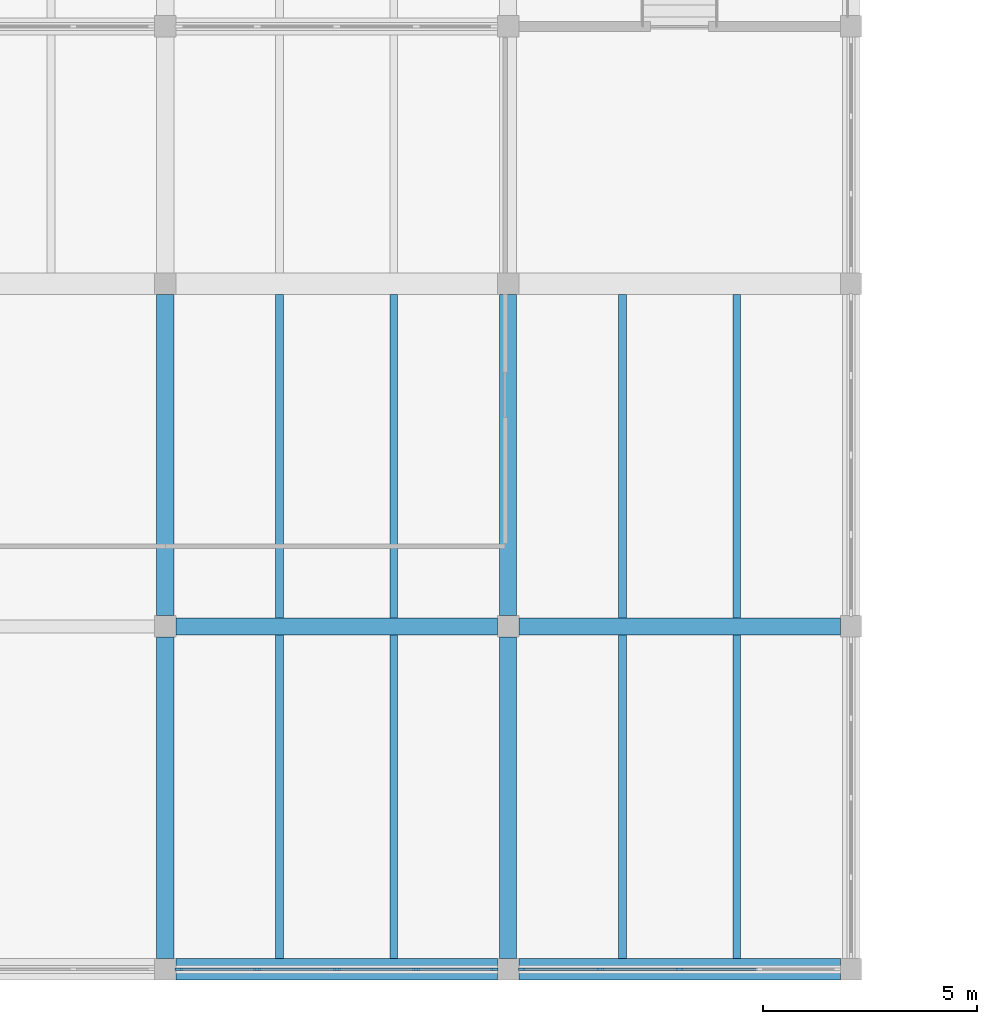
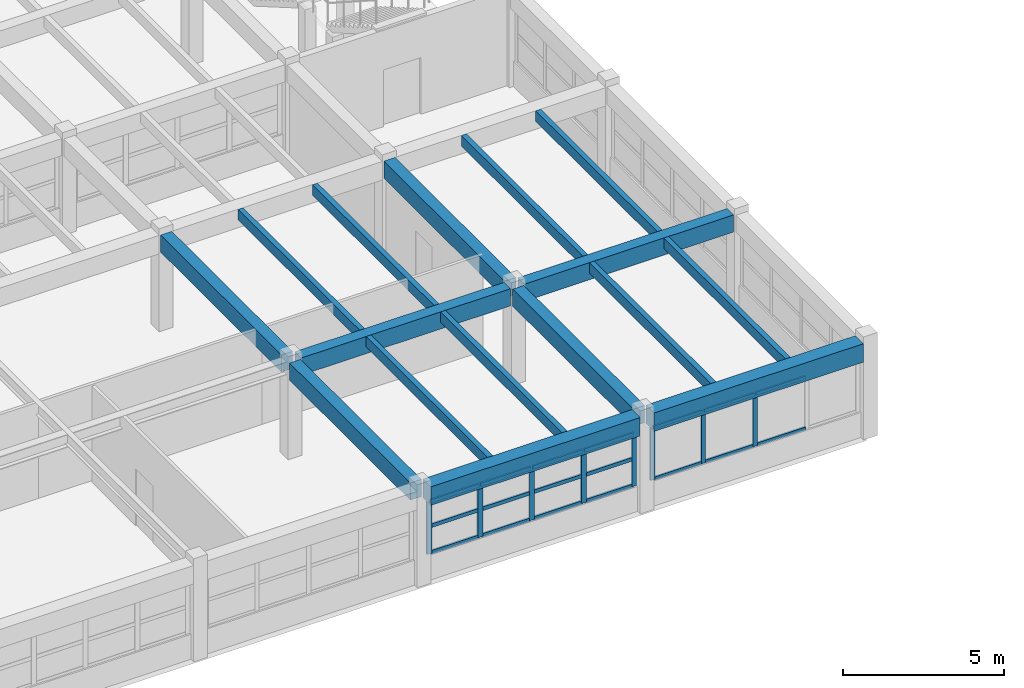
# One storey, part 5 of 89: 26 members, 16 beams, 2 elements without a shape of their own.
"""IFC4 building model written with IfcOpenShell, lengths in metres."""

import ifcopenshell
import ifcopenshell.guid

model = None  # the IFC model being written
_history = None  # IfcOwnerHistory: only IFC2X3 demands one
_inside = {}  # id of a spatial element -> (the spatial element, [elements in it])
_under = {}  # id of a project, library or spatial element -> (it, [spatial elements below it])
_declared = {}  # id of a project -> (the project, [libraries it declares])
_typed = {}  # id of a type object -> (the type object, [elements of that type])
_made_of = {}  # id of a material, layer set ... -> (it, [elements and type objects made of it])


def new_model(schema):
    """Start an empty IFC model of exactly this schema.

    Asked for "IFC4X3", IfcOpenShell would pick the latest addendum, in which some entities
    have other attributes; the version numbers below select the first issue.
    IFC2X3 requires an IfcOwnerHistory on every rooted entity: one is made here for all.
    """
    global model, _history
    if schema == "IFC4X3":
        model = ifcopenshell.file(schema_version=(4, 3, 0, 0))
    else:
        model = ifcopenshell.file(schema=schema)
    _inside.clear()
    _under.clear()
    _declared.clear()
    _typed.clear()
    _made_of.clear()
    _history = None
    if model.schema == "IFC2X3":
        org = make("IfcOrganization", Name="unknown")
        user = make(
            "IfcPersonAndOrganization",
            ThePerson=make("IfcPerson", FamilyName="unknown"),
            TheOrganization=org,
        )
        app = make(
            "IfcApplication",
            ApplicationDeveloper=org,
            Version="unknown",
            ApplicationFullName="unknown",
            ApplicationIdentifier="unknown",
        )
        _history = make(
            "IfcOwnerHistory",
            OwningUser=user,
            OwningApplication=app,
            ChangeAction="ADDED",
            CreationDate=0,
        )
    return model


def make(cls, **values):
    """One entity of the class cls with the attributes given. An attribute that is None is left unset."""
    return model.create_entity(
        cls, **{name: value for name, value in values.items() if value is not None}
    )


def rooted(cls, **values):
    """An entity with a GlobalId (a new one), such as an element, a storey or a relation."""
    return make(cls, GlobalId=ifcopenshell.guid.new(), OwnerHistory=_history, **values)


def si_unit(unit_type, name, prefix=None):
    """IfcSIUnit, for example si_unit("LENGTHUNIT", "METRE", prefix="MILLI")."""
    return make("IfcSIUnit", UnitType=unit_type, Prefix=prefix, Name=name)


def assignment(units):
    """IfcUnitAssignment: the units of a project."""
    return None if units is None else make("IfcUnitAssignment", Units=units)


def point(xyz):
    """IfcCartesianPoint."""
    return None if xyz is None else make("IfcCartesianPoint", Coordinates=xyz)


def direction(xyz):
    """IfcDirection."""
    return None if xyz is None else make("IfcDirection", DirectionRatios=xyz)


def frame(location, z_axis=None, x_axis=None):
    """IfcAxis2Placement3D, a coordinate frame: its origin and axes. An axis left out is left unset."""
    return make(
        "IfcAxis2Placement3D",
        Location=point(location),
        Axis=direction(z_axis),
        RefDirection=direction(x_axis),
    )


def frame_2d(location, x_axis=None):
    """IfcAxis2Placement2D, a coordinate frame in the plane: its origin and x axis."""
    return make(
        "IfcAxis2Placement2D", Location=point(location), RefDirection=direction(x_axis)
    )


def origin():
    """The frame at (0, 0, 0) with its axes left unset."""
    return frame((0.0, 0.0, 0.0))


def origin_2d():
    """The frame at (0, 0) in the plane with its x axis left unset."""
    return frame_2d((0.0, 0.0))


def place(relative_to, where):
    """IfcLocalPlacement: puts the frame where relative to a parent placement (None: the world)."""
    return make(
        "IfcLocalPlacement", PlacementRelTo=relative_to, RelativePlacement=where
    )


def context(
    kind, dimensions, precision=None, world=None, true_north=None, identifier=None
):
    """IfcGeometricRepresentationContext, for example the 3D "Model" context."""
    return make(
        "IfcGeometricRepresentationContext",
        ContextIdentifier=identifier,
        ContextType=kind,
        CoordinateSpaceDimension=dimensions,
        Precision=precision,
        WorldCoordinateSystem=world,
        TrueNorth=true_north,
    )


def subcontext(parent, identifier, kind, view, scale=None):
    """IfcGeometricRepresentationSubContext, for example "Body" below "Model"."""
    return make(
        "IfcGeometricRepresentationSubContext",
        ContextIdentifier=identifier,
        ContextType=kind,
        ParentContext=parent,
        TargetScale=scale,
        TargetView=view,
    )


def project(units=None, contexts=None):
    """IfcProject with its units and contexts."""
    return rooted(
        "IfcProject",
        Name="project",
        RepresentationContexts=contexts,
        UnitsInContext=assignment(units),
    )


def spatial(cls, under=None, at=None, **own):
    """A site, building, storey or space (cls), placed at a placement, below another one or the project."""
    s = rooted(cls, ObjectPlacement=at, **own)
    if under is not None:
        _under.setdefault(under.id(), (under, []))[1].append(s)
    return s


def profile(cls, at=None, kind="AREA", **sizes):
    """A parametric profile (cls). Its sizes go by their IFC names, for example OverallWidth=200.0."""
    return make(cls, ProfileType=kind, Position=at, **sizes)


def rectangle(**sizes):
    """IfcRectangleProfileDef."""
    return profile("IfcRectangleProfileDef", **sizes)


def extrude(swept, where, along, depth):
    """IfcExtrudedAreaSolid: the profile swept, set in the frame where, extruded along a direction by depth."""
    return make(
        "IfcExtrudedAreaSolid",
        SweptArea=swept,
        Position=where,
        ExtrudedDirection=direction(along),
        Depth=depth,
    )


def shape(context_of_items, identifier, shape_type, items):
    """IfcShapeRepresentation: the items that make up one representation, for example the "Body"."""
    return make(
        "IfcShapeRepresentation",
        ContextOfItems=context_of_items,
        RepresentationIdentifier=identifier,
        RepresentationType=shape_type,
        Items=items,
    )


def material(Name=None, Category=None):
    """IfcMaterial."""
    return make("IfcMaterial", Name=Name, Category=Category)


def layer(
    of_material, thickness, ventilated=None, Name=None, Category=None, Priority=None
):
    """IfcMaterialLayer: one layer of a wall or slab, of a material (None: an air gap)."""
    return make(
        "IfcMaterialLayer",
        Material=of_material,
        LayerThickness=thickness,
        IsVentilated=ventilated,
        Name=Name,
        Category=Category,
        Priority=Priority,
    )


def layer_set(layers, Name=None):
    """IfcMaterialLayerSet."""
    return make("IfcMaterialLayerSet", MaterialLayers=layers, LayerSetName=Name)


def material_profile(
    of_material, cross_section, Name=None, Category=None, Priority=None
):
    """IfcMaterialProfile: a cross section and its material."""
    return make(
        "IfcMaterialProfile",
        Name=Name,
        Material=of_material,
        Profile=cross_section,
        Priority=Priority,
        Category=Category,
    )


def profile_set(profiles, Name=None, composite=None):
    """IfcMaterialProfileSet."""
    return make(
        "IfcMaterialProfileSet",
        Name=Name,
        MaterialProfiles=profiles,
        CompositeProfile=composite,
    )


def made_of(thing, what):
    """Note that an element or type object is made of a material, layer set ...; save() writes the relation."""
    if what is not None:
        _made_of.setdefault(what.id(), (what, []))[1].append(thing)
    return thing


def type_object(cls, material=None, **own):
    """A type object (cls), such as IfcWallType, which elements share."""
    return made_of(rooted(cls, **own), material)


def element(
    cls,
    number,
    at=None,
    inside=None,
    cuts=None,
    type_object=None,
    material=None,
    context=None,
    identifier="Body",
    shape_type=None,
    held_by="IfcProductDefinitionShape",
    body=None,
    shapes=None,
    **own,
):
    """One element of the class cls, such as IfcWall. Its Tag is "e" and its number.

    at: its placement. inside: the storey or other place that contains it. cuts: it is an
    opening in that element (IfcRelVoidsElement). A single representation is given by context,
    identifier, shape_type and body (its items); several are given by shapes. held_by: the class
    of the entity that holds the representations. save() writes the other relations.
    """
    e = rooted(cls, Tag="e%d" % number, ObjectPlacement=at, **own)
    if body is not None:
        shapes = [shape(context, identifier, shape_type, body)]
    if shapes is not None:
        e.Representation = make(held_by, Representations=shapes)
    if inside is not None:
        _inside.setdefault(inside.id(), (inside, []))[1].append(e)
    if cuts is not None:
        rooted(
            "IfcRelVoidsElement", RelatingBuildingElement=cuts, RelatedOpeningElement=e
        )
    if type_object is not None:
        _typed.setdefault(type_object.id(), (type_object, []))[1].append(e)
    return made_of(e, material)


def aggregate(whole, parts):
    """IfcRelAggregates: a whole, such as a stair, and the parts it consists of."""
    return rooted("IfcRelAggregates", RelatingObject=whole, RelatedObjects=parts)


def save(model, path):
    """Write the relations noted so far, then the file.

    IfcRelAggregates (storeys below a building ...), IfcRelContainedInSpatialStructure (elements
    in a storey), IfcRelDefinesByType, IfcRelAssociatesMaterial and IfcRelDeclares: one each for
    every whole, place, type object, material and project.
    """
    for whole, parts in _under.values():
        aggregate(whole, parts)
    for where, things in _inside.values():
        rooted(
            "IfcRelContainedInSpatialStructure",
            RelatedElements=things,
            RelatingStructure=where,
        )
    for kind, things in _typed.values():
        rooted("IfcRelDefinesByType", RelatedObjects=things, RelatingType=kind)
    for what, things in _made_of.values():
        rooted("IfcRelAssociatesMaterial", RelatedObjects=things, RelatingMaterial=what)
    for by, libraries in _declared.values():
        rooted("IfcRelDeclares", RelatingContext=by, RelatedDefinitions=libraries)
    model.write(path)


model = new_model("IFC4")

# Units and contexts
model_context = context("Model", 3, precision=1e-05, world=origin(), true_north=direction((0.0, 1.0)))
body_context = subcontext(model_context, "Body", "Model", "MODEL_VIEW")
ifc_project = project(units=[si_unit("LENGTHUNIT", "METRE"), si_unit("AREAUNIT", "SQUARE_METRE"), si_unit("VOLUMEUNIT", "CUBIC_METRE"), si_unit("PLANEANGLEUNIT", "RADIAN"), si_unit("MASSUNIT", "GRAM", prefix="KILO")], contexts=[model_context])

# Site, building, storey
site_placement = place(None, origin())
site = spatial("IfcSite", under=ifc_project, at=site_placement, CompositionType="ELEMENT")
building_placement = place(site_placement, origin())
building = spatial("IfcBuilding", under=site, at=building_placement, Name="Tonlespit Floodbar School", CompositionType="ELEMENT")
storey_placement = place(building_placement, frame((0.0, 0.0, 4.5)))
storey = spatial("IfcBuildingStorey", under=building, at=storey_placement, Name="L01", CompositionType="ELEMENT", Elevation=4.5)

# Beams
ifc_material_1 = material(Name="Concrete C40/50", Category="concrete")
ifc_material_profile_1 = material_profile(ifc_material_1, rectangle(XDim=0.39990234375, YDim=0.64990234375, at=origin_2d()), Name="RC 400x650")
ifc_profile_set_1 = profile_set([ifc_material_profile_1], Name="Concrete C40/50")
beam_type_1 = type_object("IfcBeamType", Name="Beam_RC_400x650", PredefinedType="BEAM", material=ifc_profile_set_1)
for number, where, z_axis, x_axis, name in (
    (1, (20.25, 12.0, 3.324951171875), (1.0, 0.0, 0.0), (0.0, 1.0, 0.0), "L01 girder 0550"),
    (2, (28.25, 12.0, 3.322998046875), (1.0, 0.0, 0.0), (0.0, 1.0, 0.0), "L01 girder 0551"),
    (3, (20.0, 4.25, 3.324951171875), (0.0, 1.0, 0.0), (-1.0, 0.0, 0.0), "L01 girder 0687"),
    (4, (20.0, 12.25, 3.324951171875), (0.0, 1.0, 0.0), (-1.0, 0.0, 0.0), "L01 girder 0688"),
    (5, (28.0, 4.25, 3.322998046875), (0.0, 1.0, 0.0), (-1.0, 0.0, 0.0), "L01 girder 0700"),
    (6, (28.0, 12.25, 3.322998046875), (0.0, 1.0, 0.0), (-1.0, 0.0, 0.0), "L01 girder 0701"),
):
    element("IfcBeam", number, at=place(storey_placement, frame(where, z_axis=z_axis, x_axis=x_axis)), inside=storey, type_object=beam_type_1, Name=name, PredefinedType="BEAM", context=body_context, shape_type="SweptSolid", body=[
        extrude(rectangle(XDim=0.39990234375, YDim=0.64990234375, at=origin_2d()), origin(), (0.0, 0.0, 1.0), 7.5),
    ])

# Curtain wall, members
ifc_material_2 = material(Name="Anodised Aluminium", Category="aluminium")
ifc_layer = layer(ifc_material_2, 0.159912109375)
ifc_layer_set = layer_set([ifc_layer], Name="Anodised Aluminium")
curtain_wall_type = type_object("IfcCurtainWallType", Name="CurtainWall_7400x2000", PredefinedType="NOTDEFINED", material=ifc_layer_set)
curtain_wall_1_placement = place(storey_placement, origin())
curtain_wall_1 = element("IfcCurtainWall", 7, at=curtain_wall_1_placement, inside=storey, type_object=curtain_wall_type, Name="L01 unitised curtain wall 0518", PredefinedType="NOTDEFINED")
ifc_material_profile_2 = material_profile(ifc_material_2, rectangle(XDim=0.06494140625, YDim=0.14990234375, at=origin_2d()), Name="ALU M65x150")
ifc_profile_set_2 = profile_set([ifc_material_profile_2], Name="Anodised Aluminium")
member_type_1 = type_object("IfcMemberType", Name="CW_Mullion_65x150", PredefinedType="MULLION", material=ifc_profile_set_2)
member_1_placement = place(storey_placement, frame((32.0, 4.0, 0.949951171875), z_axis=(0.0, 0.0, 1.0), x_axis=(0.0, -1.0, 0.0)))
member_1 = element("IfcMember", 8, at=member_1_placement, type_object=member_type_1, Name="CW-60 mullion 3", PredefinedType="MULLION", context=body_context, shape_type="SweptSolid", body=[
    extrude(rectangle(XDim=0.06494140625, YDim=0.14990234375, at=origin_2d()), origin(), (0.0, 0.0, 1.0), 1.998046875),
])
member_2_placement = place(storey_placement, frame((30.14501953125, 4.0, 0.949951171875), z_axis=(0.0, 0.0, 1.0), x_axis=(0.0, -1.0, 0.0)))
member_2 = element("IfcMember", 9, at=member_2_placement, type_object=member_type_1, Name="CW-60 mullion 4", PredefinedType="MULLION", context=body_context, shape_type="SweptSolid", body=[
    extrude(rectangle(XDim=0.06494140625, YDim=0.14990234375, at=origin_2d()), origin(), (0.0, 0.0, 1.0), 1.998046875),
])
member_3_placement = place(storey_placement, frame((28.322509765625, 4.0, 0.949951171875), z_axis=(0.0, 0.0, 1.0), x_axis=(0.0, -1.0, 0.0)))
member_3 = element("IfcMember", 10, at=member_3_placement, type_object=member_type_1, Name="CW-60 mullion 5", PredefinedType="MULLION", context=body_context, shape_type="SweptSolid", body=[
    extrude(rectangle(XDim=0.06494140625, YDim=0.14990234375, at=origin_2d()), origin(), (0.0, 0.0, 1.0), 1.998046875),
])

curtain_wall_2_placement = place(storey_placement, origin())
curtain_wall_2 = element("IfcCurtainWall", 11, at=curtain_wall_2_placement, inside=storey, type_object=curtain_wall_type, Name="L01 unitised curtain wall 0519", PredefinedType="NOTDEFINED")
ifc_material_profile_3 = material_profile(ifc_material_2, rectangle(XDim=0.06494140625, YDim=0.179931640625, at=origin_2d()), Name="ALU M65x180")
ifc_profile_set_3 = profile_set([ifc_material_profile_3], Name="Anodised Aluminium")
member_type_2 = type_object("IfcMemberType", Name="CW_Mullion_65x180", PredefinedType="MULLION", material=ifc_profile_set_3)
member_4_placement = place(storey_placement, frame((27.677490234375, 4.0, 0.949951171875), z_axis=(0.0, 0.0, 1.0), x_axis=(0.0, -1.0, 0.0)))
member_4 = element("IfcMember", 12, at=member_4_placement, type_object=member_type_2, Name="CW-60 mullion 1", PredefinedType="MULLION", context=body_context, shape_type="SweptSolid", body=[
    extrude(rectangle(XDim=0.06494140625, YDim=0.179931640625, at=origin_2d()), origin(), (0.0, 0.0, 1.0), 2.0),
])
member_5_placement = place(storey_placement, frame((25.85498046875, 4.0, 0.949951171875), z_axis=(0.0, 0.0, 1.0), x_axis=(0.0, -1.0, 0.0)))
member_5 = element("IfcMember", 13, at=member_5_placement, type_object=member_type_2, Name="CW-60 mullion 2", PredefinedType="MULLION", context=body_context, shape_type="SweptSolid", body=[
    extrude(rectangle(XDim=0.06494140625, YDim=0.179931640625, at=origin_2d()), origin(), (0.0, 0.0, 1.0), 2.0),
])
member_6_placement = place(storey_placement, frame((24.0, 4.0, 0.949951171875), z_axis=(0.0, 0.0, 1.0), x_axis=(0.0, -1.0, 0.0)))
member_6 = element("IfcMember", 14, at=member_6_placement, type_object=member_type_2, Name="CW-60 mullion 3", PredefinedType="MULLION", context=body_context, shape_type="SweptSolid", body=[
    extrude(rectangle(XDim=0.06494140625, YDim=0.179931640625, at=origin_2d()), origin(), (0.0, 0.0, 1.0), 2.0),
])
member_7_placement = place(storey_placement, frame((22.14501953125, 4.0, 0.949951171875), z_axis=(0.0, 0.0, 1.0), x_axis=(0.0, -1.0, 0.0)))
member_7 = element("IfcMember", 15, at=member_7_placement, type_object=member_type_2, Name="CW-60 mullion 4", PredefinedType="MULLION", context=body_context, shape_type="SweptSolid", body=[
    extrude(rectangle(XDim=0.06494140625, YDim=0.179931640625, at=origin_2d()), origin(), (0.0, 0.0, 1.0), 2.0),
])
member_8_placement = place(storey_placement, frame((20.322509765625, 4.0, 0.949951171875), z_axis=(0.0, 0.0, 1.0), x_axis=(0.0, -1.0, 0.0)))
member_8 = element("IfcMember", 16, at=member_8_placement, type_object=member_type_2, Name="CW-60 mullion 5", PredefinedType="MULLION", context=body_context, shape_type="SweptSolid", body=[
    extrude(rectangle(XDim=0.06494140625, YDim=0.179931640625, at=origin_2d()), origin(), (0.0, 0.0, 1.0), 2.0),
])

# Member
ifc_material_profile_4 = material_profile(ifc_material_2, rectangle(XDim=0.06494140625, YDim=0.1201171875, at=origin_2d()), Name="ALU T65x120")
ifc_profile_set_4 = profile_set([ifc_material_profile_4], Name="Anodised Aluminium")
member_type_3 = type_object("IfcMemberType", Name="CW_Transom_65x120", PredefinedType="USERDEFINED", material=ifc_profile_set_4)
member_9_placement = place(storey_placement, frame((33.822509765625, 4.0, 0.982421875), z_axis=(-1.0, 0.0, 0.0), x_axis=(0.0, -1.0, 0.0)))
member_9 = element("IfcMember", 17, at=member_9_placement, type_object=member_type_3, Name="CW-60 transom 2.1", ObjectType="TRANSOM", PredefinedType="USERDEFINED", context=body_context, shape_type="SweptSolid", body=[
    extrude(rectangle(XDim=0.06494140625, YDim=0.1201171875, at=origin_2d()), origin(), (0.0, 0.0, 1.0), 1.7900390625),
])

member_10_placement = place(storey_placement, frame((33.822509765625, 4.0, 2.91552734375), z_axis=(-1.0, 0.0, 0.0), x_axis=(0.0, -1.0, 0.0)))
member_10 = element("IfcMember", 18, at=member_10_placement, type_object=member_type_3, Name="CW-60 transom 2.2", ObjectType="TRANSOM", PredefinedType="USERDEFINED", context=body_context, shape_type="SweptSolid", body=[
    extrude(rectangle(XDim=0.06494140625, YDim=0.1201171875, at=origin_2d()), origin(), (0.0, 0.0, 1.0), 1.7900390625),
])

member_11_placement = place(storey_placement, frame((31.967529296875, 4.0, 0.982421875), z_axis=(-1.0, 0.0, 0.0), x_axis=(0.0, -1.0, 0.0)))
member_11 = element("IfcMember", 19, at=member_11_placement, type_object=member_type_3, Name="CW-60 transom 3.1", ObjectType="TRANSOM", PredefinedType="USERDEFINED", context=body_context, shape_type="SweptSolid", body=[
    extrude(rectangle(XDim=0.06494140625, YDim=0.1201171875, at=origin_2d()), origin(), (0.0, 0.0, 1.0), 1.7900390625),
])

member_12_placement = place(storey_placement, frame((31.967529296875, 4.0, 2.91552734375), z_axis=(-1.0, 0.0, 0.0), x_axis=(0.0, -1.0, 0.0)))
member_12 = element("IfcMember", 20, at=member_12_placement, type_object=member_type_3, Name="CW-60 transom 3.2", ObjectType="TRANSOM", PredefinedType="USERDEFINED", context=body_context, shape_type="SweptSolid", body=[
    extrude(rectangle(XDim=0.06494140625, YDim=0.1201171875, at=origin_2d()), origin(), (0.0, 0.0, 1.0), 1.7900390625),
])

member_13_placement = place(storey_placement, frame((30.112548828125, 4.0, 0.982421875), z_axis=(-1.0, 0.0, 0.0), x_axis=(0.0, -1.0, 0.0)))
member_13 = element("IfcMember", 21, at=member_13_placement, type_object=member_type_3, Name="CW-60 transom 4.1", ObjectType="TRANSOM", PredefinedType="USERDEFINED", context=body_context, shape_type="SweptSolid", body=[
    extrude(rectangle(XDim=0.06494140625, YDim=0.1201171875, at=origin_2d()), origin(), (0.0, 0.0, 1.0), 1.757568359375),
])

member_14_placement = place(storey_placement, frame((30.112548828125, 4.0, 2.91552734375), z_axis=(-1.0, 0.0, 0.0), x_axis=(0.0, -1.0, 0.0)))
member_14 = element("IfcMember", 22, at=member_14_placement, type_object=member_type_3, Name="CW-60 transom 4.2", ObjectType="TRANSOM", PredefinedType="USERDEFINED", context=body_context, shape_type="SweptSolid", body=[
    extrude(rectangle(XDim=0.06494140625, YDim=0.1201171875, at=origin_2d()), origin(), (0.0, 0.0, 1.0), 1.757568359375),
])

aggregate(curtain_wall_1, [member_1, member_2, member_3, member_9, member_10, member_11, member_12, member_13, member_14])

ifc_material_profile_5 = material_profile(ifc_material_2, rectangle(XDim=0.06494140625, YDim=0.139892578125, at=origin_2d()), Name="ALU T65x140")
ifc_profile_set_5 = profile_set([ifc_material_profile_5], Name="Anodised Aluminium")
member_type_4 = type_object("IfcMemberType", Name="CW_Transom_65x140", PredefinedType="USERDEFINED", material=ifc_profile_set_5)
member_15_placement = place(storey_placement, frame((27.64501953125, 4.0, 0.982421875), z_axis=(-1.0, 0.0, 0.0), x_axis=(0.0, -1.0, 0.0)))
member_15 = element("IfcMember", 23, at=member_15_placement, type_object=member_type_4, Name="CW-60 transom 1.1", ObjectType="TRANSOM", PredefinedType="USERDEFINED", context=body_context, shape_type="SweptSolid", body=[
    extrude(rectangle(XDim=0.06494140625, YDim=0.139892578125, at=origin_2d()), origin(), (0.0, 0.0, 1.0), 1.757568359375),
])

member_16_placement = place(storey_placement, frame((27.64501953125, 4.0, 1.989990234375), z_axis=(-1.0, 0.0, 0.0), x_axis=(0.0, -1.0, 0.0)))
member_16 = element("IfcMember", 24, at=member_16_placement, type_object=member_type_4, Name="CW-60 transom 1.2", ObjectType="TRANSOM", PredefinedType="USERDEFINED", context=body_context, shape_type="SweptSolid", body=[
    extrude(rectangle(XDim=0.06494140625, YDim=0.139892578125, at=origin_2d()), origin(), (0.0, 0.0, 1.0), 1.757568359375),
])

member_17_placement = place(storey_placement, frame((27.64501953125, 4.0, 2.91748046875), z_axis=(-1.0, 0.0, 0.0), x_axis=(0.0, -1.0, 0.0)))
member_17 = element("IfcMember", 25, at=member_17_placement, type_object=member_type_4, Name="CW-60 transom 1.3", ObjectType="TRANSOM", PredefinedType="USERDEFINED", context=body_context, shape_type="SweptSolid", body=[
    extrude(rectangle(XDim=0.06494140625, YDim=0.139892578125, at=origin_2d()), origin(), (0.0, 0.0, 1.0), 1.757568359375),
])

member_18_placement = place(storey_placement, frame((25.822509765625, 4.0, 0.982421875), z_axis=(-1.0, 0.0, 0.0), x_axis=(0.0, -1.0, 0.0)))
member_18 = element("IfcMember", 26, at=member_18_placement, type_object=member_type_4, Name="CW-60 transom 2.1", ObjectType="TRANSOM", PredefinedType="USERDEFINED", context=body_context, shape_type="SweptSolid", body=[
    extrude(rectangle(XDim=0.06494140625, YDim=0.139892578125, at=origin_2d()), origin(), (0.0, 0.0, 1.0), 1.7900390625),
])

member_19_placement = place(storey_placement, frame((25.822509765625, 4.0, 1.989990234375), z_axis=(-1.0, 0.0, 0.0), x_axis=(0.0, -1.0, 0.0)))
member_19 = element("IfcMember", 27, at=member_19_placement, type_object=member_type_4, Name="CW-60 transom 2.2", ObjectType="TRANSOM", PredefinedType="USERDEFINED", context=body_context, shape_type="SweptSolid", body=[
    extrude(rectangle(XDim=0.06494140625, YDim=0.139892578125, at=origin_2d()), origin(), (0.0, 0.0, 1.0), 1.7900390625),
])

member_20_placement = place(storey_placement, frame((25.822509765625, 4.0, 2.91748046875), z_axis=(-1.0, 0.0, 0.0), x_axis=(0.0, -1.0, 0.0)))
member_20 = element("IfcMember", 28, at=member_20_placement, type_object=member_type_4, Name="CW-60 transom 2.3", ObjectType="TRANSOM", PredefinedType="USERDEFINED", context=body_context, shape_type="SweptSolid", body=[
    extrude(rectangle(XDim=0.06494140625, YDim=0.139892578125, at=origin_2d()), origin(), (0.0, 0.0, 1.0), 1.7900390625),
])

member_21_placement = place(storey_placement, frame((23.967529296875, 4.0, 0.982421875), z_axis=(-1.0, 0.0, 0.0), x_axis=(0.0, -1.0, 0.0)))
member_21 = element("IfcMember", 29, at=member_21_placement, type_object=member_type_4, Name="CW-60 transom 3.1", ObjectType="TRANSOM", PredefinedType="USERDEFINED", context=body_context, shape_type="SweptSolid", body=[
    extrude(rectangle(XDim=0.06494140625, YDim=0.139892578125, at=origin_2d()), origin(), (0.0, 0.0, 1.0), 1.7900390625),
])

member_22_placement = place(storey_placement, frame((23.967529296875, 4.0, 1.989990234375), z_axis=(-1.0, 0.0, 0.0), x_axis=(0.0, -1.0, 0.0)))
member_22 = element("IfcMember", 30, at=member_22_placement, type_object=member_type_4, Name="CW-60 transom 3.2", ObjectType="TRANSOM", PredefinedType="USERDEFINED", context=body_context, shape_type="SweptSolid", body=[
    extrude(rectangle(XDim=0.06494140625, YDim=0.139892578125, at=origin_2d()), origin(), (0.0, 0.0, 1.0), 1.7900390625),
])

member_23_placement = place(storey_placement, frame((23.967529296875, 4.0, 2.91748046875), z_axis=(-1.0, 0.0, 0.0), x_axis=(0.0, -1.0, 0.0)))
member_23 = element("IfcMember", 31, at=member_23_placement, type_object=member_type_4, Name="CW-60 transom 3.3", ObjectType="TRANSOM", PredefinedType="USERDEFINED", context=body_context, shape_type="SweptSolid", body=[
    extrude(rectangle(XDim=0.06494140625, YDim=0.139892578125, at=origin_2d()), origin(), (0.0, 0.0, 1.0), 1.7900390625),
])

member_24_placement = place(storey_placement, frame((22.112548828125, 4.0, 0.982421875), z_axis=(-1.0, 0.0, 0.0), x_axis=(0.0, -1.0, 0.0)))
member_24 = element("IfcMember", 32, at=member_24_placement, type_object=member_type_4, Name="CW-60 transom 4.1", ObjectType="TRANSOM", PredefinedType="USERDEFINED", context=body_context, shape_type="SweptSolid", body=[
    extrude(rectangle(XDim=0.06494140625, YDim=0.139892578125, at=origin_2d()), origin(), (0.0, 0.0, 1.0), 1.757568359375),
])

member_25_placement = place(storey_placement, frame((22.112548828125, 4.0, 1.989990234375), z_axis=(-1.0, 0.0, 0.0), x_axis=(0.0, -1.0, 0.0)))
member_25 = element("IfcMember", 33, at=member_25_placement, type_object=member_type_4, Name="CW-60 transom 4.2", ObjectType="TRANSOM", PredefinedType="USERDEFINED", context=body_context, shape_type="SweptSolid", body=[
    extrude(rectangle(XDim=0.06494140625, YDim=0.139892578125, at=origin_2d()), origin(), (0.0, 0.0, 1.0), 1.757568359375),
])

member_26_placement = place(storey_placement, frame((22.112548828125, 4.0, 2.91748046875), z_axis=(-1.0, 0.0, 0.0), x_axis=(0.0, -1.0, 0.0)))
member_26 = element("IfcMember", 34, at=member_26_placement, type_object=member_type_4, Name="CW-60 transom 4.3", ObjectType="TRANSOM", PredefinedType="USERDEFINED", context=body_context, shape_type="SweptSolid", body=[
    extrude(rectangle(XDim=0.06494140625, YDim=0.139892578125, at=origin_2d()), origin(), (0.0, 0.0, 1.0), 1.757568359375),
])

aggregate(curtain_wall_2, [member_4, member_5, member_6, member_7, member_8, member_15, member_16, member_17, member_18, member_19, member_20, member_21, member_22, member_23, member_24, member_25, member_26])

# Beams
ifc_material_3 = material(Name="Glulam GL28h", Category="wood")
ifc_material_profile_6 = material_profile(ifc_material_3, rectangle(XDim=0.179931640625, YDim=0.39990234375, at=origin_2d()), Name="GL 180x400")
ifc_profile_set_6 = profile_set([ifc_material_profile_6], Name="Glulam GL28h")
beam_type_2 = type_object("IfcBeamType", Name="Joist_GL_180x400", PredefinedType="JOIST", material=ifc_profile_set_6)
for number, where, z_axis, x_axis, name in (
    (35, (22.666748046875, 4.25, 3.449951171875), (0.0, 1.0, 0.0), (-1.0, 0.0, 0.0), "L01 secondary joist 0794"),
    (36, (25.333251953125, 4.25, 3.449951171875), (0.0, 1.0, 0.0), (-1.0, 0.0, 0.0), "L01 secondary joist 0795"),
    (37, (30.666748046875, 4.25, 3.447998046875), (0.0, 1.0, 0.0), (-1.0, 0.0, 0.0), "L01 secondary joist 0796"),
    (38, (33.333251953125, 4.25, 3.447998046875), (0.0, 1.0, 0.0), (-1.0, 0.0, 0.0), "L01 secondary joist 0797"),
    (39, (22.666748046875, 12.199951171875, 3.449951171875), (0.0, 1.0, 0.0), (-1.0, 0.0, 0.0), "L01 secondary joist 0798"),
    (40, (25.333251953125, 12.199951171875, 3.449951171875), (0.0, 1.0, 0.0), (-1.0, 0.0, 0.0), "L01 secondary joist 0799"),
    (41, (30.666748046875, 12.199951171875, 3.447998046875), (0.0, 1.0, 0.0), (-1.0, 0.0, 0.0), "L01 secondary joist 0800"),
    (42, (33.333251953125, 12.199951171875, 3.447998046875), (0.0, 1.0, 0.0), (-1.0, 0.0, 0.0), "L01 secondary joist 0801"),
):
    element("IfcBeam", number, at=place(storey_placement, frame(where, z_axis=z_axis, x_axis=x_axis)), inside=storey, type_object=beam_type_2, Name=name, PredefinedType="JOIST", context=body_context, shape_type="SweptSolid", body=[
        extrude(rectangle(XDim=0.179931640625, YDim=0.39990234375, at=origin_2d()), origin(), (0.0, 0.0, 1.0), 7.550048828125),
    ])
ifc_material_profile_7 = material_profile(ifc_material_1, rectangle(XDim=0.5, YDim=0.699951171875, at=origin_2d()), Name="RC 500x700")
ifc_profile_set_7 = profile_set([ifc_material_profile_7], Name="Concrete C40/50")
beam_type_3 = type_object("IfcBeamType", Name="Spandrel_RC_500x700", PredefinedType="SPANDREL", material=ifc_profile_set_7)
for number, where, z_axis, x_axis, name in (
    (43, (20.25, 4.0, 3.300048828125), (1.0, 0.0, 0.0), (0.0, 1.0, 0.0), "L01 girder 0547"),
    (44, (28.25, 4.0, 3.298095703125), (1.0, 0.0, 0.0), (0.0, 1.0, 0.0), "L01 girder 0548"),
):
    element("IfcBeam", number, at=place(storey_placement, frame(where, z_axis=z_axis, x_axis=x_axis)), inside=storey, type_object=beam_type_3, Name=name, PredefinedType="SPANDREL", context=body_context, shape_type="SweptSolid", body=[
        extrude(rectangle(XDim=0.5, YDim=0.699951171875, at=origin_2d()), origin(), (0.0, 0.0, 1.0), 7.5),
    ])

save(model, "model.ifc")
